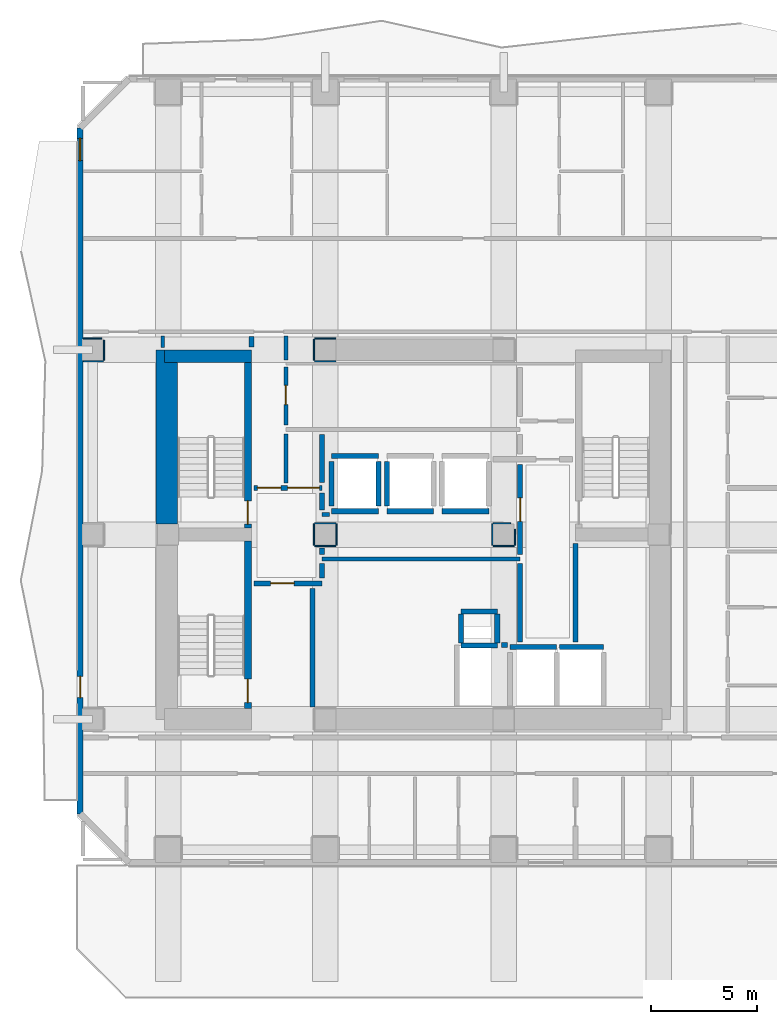
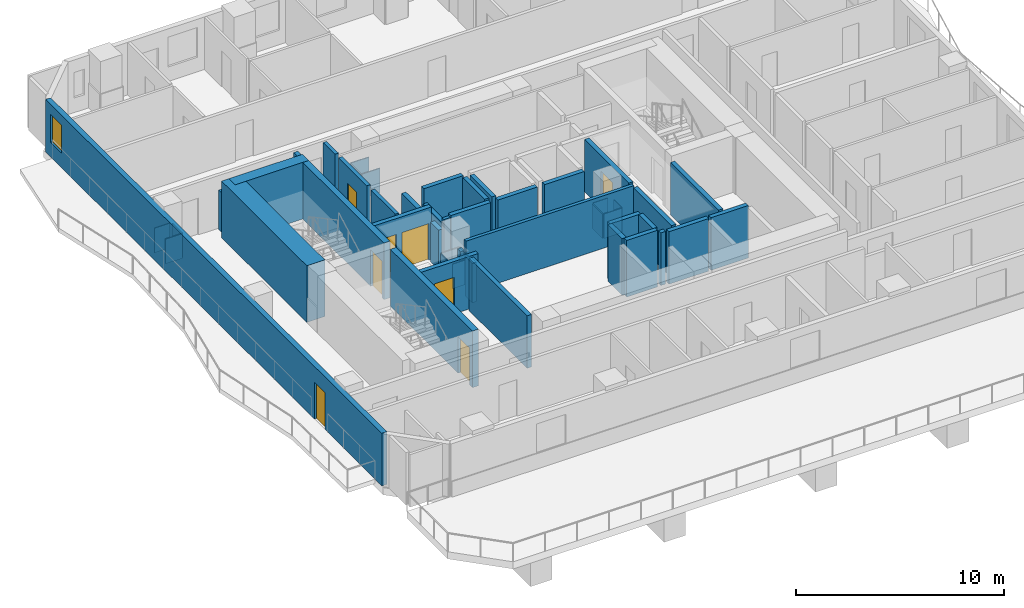
# One storey, part 3 of 9: 50 walls, 8 doors, 1 window, 9 openings.
"""IFC4 building model written with IfcOpenShell, lengths in metres."""

from ifc_helpers import new_model, si_unit, direction, frame, frame_2d, origin, place, context, subcontext, project, spatial, rectangle, extrude, material, layer, layer_set, type_object, element, fill, save


model = new_model("IFC4")

# Units and contexts
model_context = context("Model", 3, precision=1e-05, world=origin(), true_north=direction((0.0, 1.0)))
body_context = subcontext(model_context, "Body", "Model", "MODEL_VIEW")
ifc_project = project(units=[si_unit("LENGTHUNIT", "METRE"), si_unit("AREAUNIT", "SQUARE_METRE"), si_unit("VOLUMEUNIT", "CUBIC_METRE"), si_unit("PLANEANGLEUNIT", "RADIAN"), si_unit("MASSUNIT", "GRAM", prefix="KILO")], contexts=[model_context])

# Site, building, storey
site_placement = place(None, origin())
site = spatial("IfcSite", under=ifc_project, at=site_placement, CompositionType="ELEMENT")
building_placement = place(site_placement, origin())
building = spatial("IfcBuilding", under=site, at=building_placement, Name="Solanera Arch Residences", CompositionType="ELEMENT")
storey_placement = place(building_placement, frame((0.0, 0.0, 145.919921875)))
storey = spatial("IfcBuildingStorey", under=building, at=storey_placement, Name="L42", CompositionType="ELEMENT", Elevation=145.919921875)

# Walls
ifc_material_1 = material(Name="Fire-Rated Gypsum Stud Partition", Category="gypsum")
ifc_layer_1 = layer(ifc_material_1, 0.06005859375)
ifc_layer_set_1 = layer_set([ifc_layer_1], Name="Fire-Rated Gypsum Stud Partition")
wall_type_1 = type_object("IfcWallType", Name="Column Acoustic Furring Wall 60", PredefinedType="PARTITIONING", material=ifc_layer_set_1)
for number, where, z_axis, x_axis, name in (
    (1, (20.300048828125, 38.867919921875, 0.0), (0.0, 0.0, 1.0), (1.0, 0.0, 0.0), "L42 Column Furring 3S"),
    (2, (20.300048828125, 39.931884765625, 0.0), (0.0, 0.0, 1.0), (1.0, 0.0, 0.0), "L42 Column Furring 3N"),
    (3, (20.26806640625, 38.89990234375, 0.0), (0.0, 0.0, 1.0), (0.0, 1.0, 0.0), "L42 Column Furring 3W"),
    (4, (20.300048828125, 30.16796875, 0.0), (0.0, 0.0, 1.0), (1.0, 0.0, 0.0), "L42 Column Furring 7S"),
    (5, (20.300048828125, 31.23193359375, 0.0), (0.0, 0.0, 1.0), (1.0, 0.0, 0.0), "L42 Column Furring 7N"),
    (6, (20.26806640625, 30.199951171875, 0.0), (0.0, 0.0, 1.0), (0.0, 1.0, 0.0), "L42 Column Furring 7W"),
    (7, (21.33203125, 30.199951171875, 0.0), (0.0, 0.0, 1.0), (0.0, 1.0, 0.0), "L42 Column Furring 7E"),
    (8, (28.699951171875, 30.16796875, 0.0), (0.0, 0.0, 1.0), (1.0, 0.0, 0.0), "L42 Column Furring 8S"),
):
    element("IfcWall", number, at=place(storey_placement, frame(where, z_axis=z_axis, x_axis=x_axis)), inside=storey, type_object=wall_type_1, Name=name, PredefinedType="PARTITIONING", context=body_context, shape_type="SweptSolid", body=[
        extrude(rectangle(XDim=1.0, YDim=0.06005859375, at=frame_2d((0.5, 0.0))), origin(), (0.0, 0.0, 1.0), 1.4501953125),
    ])
wall_1_placement = place(storey_placement, frame((28.699951171875, 31.23193359375, 0.0), z_axis=(0.0, 0.0, 1.0), x_axis=(1.0, 0.0, 0.0)))
element("IfcWall", 9, at=wall_1_placement, inside=storey, type_object=wall_type_1, Name="L42 Column Furring 8N", PredefinedType="PARTITIONING", context=body_context, shape_type="SweptSolid", body=[
    extrude(rectangle(XDim=0.8349609375, YDim=0.06005859375, at=frame_2d((0.41748046875, 0.0))), origin(), (0.0, 0.0, 1.0), 1.4501953125),
])
wall_2_placement = place(storey_placement, frame((28.66796875, 30.199951171875, 0.0), z_axis=(0.0, 0.0, 1.0), x_axis=(0.0, 1.0, 0.0)))
element("IfcWall", 10, at=wall_2_placement, inside=storey, type_object=wall_type_1, Name="L42 Column Furring 8W", PredefinedType="PARTITIONING", context=body_context, shape_type="SweptSolid", body=[
    extrude(rectangle(XDim=1.0, YDim=0.06005859375, at=frame_2d((0.5, 0.0))), origin(), (0.0, 0.0, 1.0), 1.4501953125),
])
wall_3_placement = place(storey_placement, frame((29.73193359375, 30.199951171875, 0.0), z_axis=(0.0, 0.0, 1.0), x_axis=(0.0, 1.0, 0.0)))
element("IfcWall", 11, at=wall_3_placement, inside=storey, type_object=wall_type_1, Name="L42 Column Furring 8E", PredefinedType="PARTITIONING", context=body_context, shape_type="SweptSolid", body=[
    extrude(rectangle(XDim=0.7470703125, YDim=0.06005859375, at=frame_2d((0.37353515625, 0.0))), origin(), (0.0, 0.0, 1.0), 1.4501953125),
])
wall_4_placement = place(storey_placement, frame((9.409912109375, 38.867919921875, 0.0), z_axis=(0.0, 0.0, 1.0), x_axis=(1.0, 0.0, 0.0)))
element("IfcWall", 12, at=wall_4_placement, inside=storey, type_object=wall_type_1, Name="L42 Column Furring 21S", PredefinedType="PARTITIONING", context=body_context, shape_type="SweptSolid", body=[
    extrude(rectangle(XDim=0.940185546875, YDim=0.06005859375, at=frame_2d((0.47021484375, 0.0))), origin(), (0.0, 0.0, 1.0), 1.4501953125),
])
wall_5_placement = place(storey_placement, frame((9.409912109375, 39.931884765625, 0.0), z_axis=(0.0, 0.0, 1.0), x_axis=(1.0, 0.0, 0.0)))
element("IfcWall", 13, at=wall_5_placement, inside=storey, type_object=wall_type_1, Name="L42 Column Furring 21N", PredefinedType="PARTITIONING", context=body_context, shape_type="SweptSolid", body=[
    extrude(rectangle(XDim=0.87109375, YDim=0.06005859375, at=frame_2d((0.435546875, 0.0))), origin(), (0.0, 0.0, 1.0), 1.4501953125),
])
wall_6_placement = place(storey_placement, frame((10.382080078125, 38.89990234375, 0.0), z_axis=(0.0, 0.0, 1.0), x_axis=(0.0, 1.0, 0.0)))
element("IfcWall", 14, at=wall_6_placement, inside=storey, type_object=wall_type_1, Name="L42 Column Furring 21E", PredefinedType="PARTITIONING", context=body_context, shape_type="SweptSolid", body=[
    extrude(rectangle(XDim=0.9560546875, YDim=0.06005859375, at=frame_2d((0.47802734375, 0.0))), origin(), (0.0, 0.0, 1.0), 1.4501953125),
])
ifc_material_2 = material(Name="Concrete C55/67 (f'c = 60 MPa)", Category="concrete")
ifc_layer_2 = layer(ifc_material_2, 1.0)
ifc_layer_set_2 = layer_set([ifc_layer_2], Name="Concrete C55/67 (f'c = 60 MPa)")
wall_type_2 = type_object("IfcWallType", Name="Core Shear Wall CW-1000", PredefinedType="SHEAR", material=ifc_layer_set_2)
wall_7_placement = place(storey_placement, frame((13.340087890625, 31.205078125, 0.0), z_axis=(0.0, 0.0, 1.0), x_axis=(0.0, 1.0, 0.0)))
element("IfcWall", 15, at=wall_7_placement, inside=storey, type_object=wall_type_2, Name="L42 West Core North Shear Wall", PredefinedType="SHEAR", context=body_context, shape_type="SweptSolid", body=[
    extrude(rectangle(XDim=8.19482421875, YDim=1.0, at=frame_2d((4.097412109375, 0.0))), origin(), (0.0, 0.0, 1.0), 3.320068359375),
])

# Wall, opening, door
ifc_material_3 = material(Name="Concrete C40/50 (f'c = 45 MPa)", Category="concrete")
ifc_layer_3 = layer(ifc_material_3, 0.320068359375)
ifc_layer_set_3 = layer_set([ifc_layer_3], Name="Concrete C40/50 (f'c = 45 MPa)")
wall_type_3 = type_object("IfcWallType", Name="Core Shear Wall CW-320", PredefinedType="SHEAR", material=ifc_layer_set_3)
wall_8_placement = place(storey_placement, frame((17.159912109375, 31.0, 0.0), z_axis=(0.0, 0.0, 1.0), x_axis=(0.0, 1.0, 0.0)))
wall_8 = element("IfcWall", 16, at=wall_8_placement, inside=storey, type_object=wall_type_3, Name="L42 Stair ST-T1 East Shear Wall", PredefinedType="SHEAR", context=body_context, shape_type="SweptSolid", body=[
    extrude(rectangle(XDim=7.800048828125, YDim=0.320068359375, at=frame_2d((3.89990234375, 0.0))), origin(), (0.0, 0.0, 1.0), 3.320068359375),
])
opening_1_placement = place(wall_8_placement, frame((0.18994140625, 0.0, 0.0)))
opening_1 = element("IfcOpeningElement", 17, at=opening_1_placement, cuts=wall_8, Name="Opening DF-01", PredefinedType="OPENING", context=body_context, shape_type="SweptSolid", body=[
    extrude(rectangle(XDim=1.10009765625, YDim=2.14990234375, at=frame_2d((0.550048828125, 1.074951171875))), frame((0.0, 0.169921875, 0.0), z_axis=(0.0, -1.0, 0.0), x_axis=(1.0, 0.0, 0.0)), (0.0, 0.0, 1.0), 0.3401),
])
ifc_material_4 = material(Name="Fire-Rated Architectural Hardwood", Category="wood")
door_type_1 = type_object("IfcDoorType", Name="Stair Exit Fire Door DF-01", OperationType="NOTDEFINED", PredefinedType="DOOR", material=ifc_material_4)
door_1_placement = place(opening_1_placement, origin())
door_1 = element("IfcDoor", 18, at=door_1_placement, inside=storey, type_object=door_type_1, Name="DR-L42-STAIR-ST-T1", OperationType="SINGLE_SWING_RIGHT", OverallHeight=2.14990234375, OverallWidth=1.10009765625, PredefinedType="DOOR", context=body_context, shape_type="SweptSolid", body=[
    extrude(rectangle(XDim=1.10009765625, YDim=2.14990234375, at=frame_2d((0.550048828125, 1.074951171875))), frame((0.0, 0.02490234375, 0.0), z_axis=(0.0, -1.0, 0.0), x_axis=(1.0, 0.0, 0.0)), (0.0, 0.0, 1.0), 0.050048828125),
])
fill(opening_1, door_1)

wall_9_placement = place(storey_placement, frame((17.159912109375, 22.5, 0.0), z_axis=(0.0, 0.0, 1.0), x_axis=(0.0, 1.0, 0.0)))
wall_9 = element("IfcWall", 19, at=wall_9_placement, inside=storey, type_object=wall_type_3, Name="L42 Stair ST-T3 East Shear Wall", PredefinedType="SHEAR", context=body_context, shape_type="SweptSolid", body=[
    extrude(rectangle(XDim=7.89990234375, YDim=0.320068359375, at=frame_2d((3.949951171875, 0.0))), origin(), (0.0, 0.0, 1.0), 3.320068359375),
])
opening_2_placement = place(wall_9_placement, frame((0.2900390625, 0.0, 0.0)))
opening_2 = element("IfcOpeningElement", 20, at=opening_2_placement, cuts=wall_9, Name="Opening DF-01", PredefinedType="OPENING", context=body_context, shape_type="SweptSolid", body=[
    extrude(rectangle(XDim=1.10009765625, YDim=2.14990234375, at=frame_2d((0.550048828125, 1.074951171875))), frame((0.0, 0.169921875, 0.0), z_axis=(0.0, -1.0, 0.0), x_axis=(1.0, 0.0, 0.0)), (0.0, 0.0, 1.0), 0.3401),
])
door_2_placement = place(opening_2_placement, origin())
door_2 = element("IfcDoor", 21, at=door_2_placement, inside=storey, type_object=door_type_1, Name="DR-L42-STAIR-ST-T3", OperationType="SINGLE_SWING_RIGHT", OverallHeight=2.14990234375, OverallWidth=1.10009765625, PredefinedType="DOOR", context=body_context, shape_type="SweptSolid", body=[
    extrude(rectangle(XDim=1.10009765625, YDim=2.14990234375, at=frame_2d((0.550048828125, 1.074951171875))), frame((0.0, 0.02490234375, 0.0), z_axis=(0.0, -1.0, 0.0), x_axis=(1.0, 0.0, 0.0)), (0.0, 0.0, 1.0), 0.050048828125),
])
fill(opening_2, door_2)

# Walls
ifc_material_5 = material(Name="Concrete C40/50 (f'c = 45 MPa)", Category="concrete")
ifc_layer_4 = layer(ifc_material_5, 0.60009765625)
ifc_layer_set_4 = layer_set([ifc_layer_4], Name="Concrete C40/50 (f'c = 45 MPa)")
wall_type_4 = type_object("IfcWallType", Name="Core Shear Wall CW-600", PredefinedType="SHEAR", material=ifc_layer_set_4)
wall_10_placement = place(storey_placement, frame((13.239990234375, 39.10009765625, 0.0), z_axis=(0.0, 0.0, 1.0), x_axis=(1.0, 0.0, 0.0)))
element("IfcWall", 22, at=wall_10_placement, inside=storey, type_object=wall_type_4, Name="L42 North-West Core Shear Wall", PredefinedType="SHEAR", context=body_context, shape_type="SweptSolid", body=[
    extrude(rectangle(XDim=4.080078125, YDim=0.60009765625, at=frame_2d((2.0400390625, 0.0))), origin(), (0.0, 0.0, 1.0), 3.320068359375),
])
ifc_material_6 = material(Name="Autoclaved Aerated Concrete Blockwork", Category="masonry")
ifc_layer_5 = layer(ifc_material_6, 0.179931640625)
ifc_layer_set_5 = layer_set([ifc_layer_5], Name="Autoclaved Aerated Concrete Blockwork")
wall_type_5 = type_object("IfcWallType", Name="Corridor Fire Partition 180", PredefinedType="PARTITIONING", material=ifc_layer_set_5)
wall_11_placement = place(storey_placement, frame((20.64990234375, 29.550048828125, 0.0), z_axis=(0.0, 0.0, 1.0), x_axis=(1.0, 0.0, 0.0)))
element("IfcWall", 23, at=wall_11_placement, inside=storey, type_object=wall_type_5, Name="L42 Interior Partition H9", PredefinedType="PARTITIONING", context=body_context, shape_type="SweptSolid", body=[
    extrude(rectangle(XDim=9.3251953125, YDim=0.179931640625, at=frame_2d((4.66259765625, 0.0))), origin(), (0.0, 0.0, 1.0), 3.080078125),
])
wall_12_placement = place(storey_placement, frame((20.64990234375, 31.64990234375, 0.0), z_axis=(0.0, 0.0, 1.0), x_axis=(1.0, 0.0, 0.0)))
element("IfcWall", 24, at=wall_12_placement, inside=storey, type_object=wall_type_5, Name="L42 Interior Partition H10", PredefinedType="PARTITIONING", context=body_context, shape_type="SweptSolid", body=[
    extrude(rectangle(XDim=0.357177734375, YDim=0.179931640625, at=frame_2d((0.1787109375, 0.0))), origin(), (0.0, 0.0, 1.0), 3.080078125),
])
wall_13_placement = place(storey_placement, frame((13.14990234375, 39.5, 0.0), z_axis=(0.0, 0.0, 1.0), x_axis=(0.0, 1.0, 0.0)))
element("IfcWall", 25, at=wall_13_placement, inside=storey, type_object=wall_type_5, Name="L42 Interior Partition V9", PredefinedType="PARTITIONING", context=body_context, shape_type="SweptSolid", body=[
    extrude(rectangle(XDim=0.56201171875, YDim=0.179931640625, at=frame_2d((0.281005859375, 0.0))), origin(), (0.0, 0.0, 1.0), 2.315185546875),
])

# Wall, openings, door, window
ifc_material_7 = material(Name="Precast Concrete C35/45", Category="concrete")
ifc_layer_6 = layer(ifc_material_7, 0.280029296875)
ifc_layer_set_6 = layer_set([ifc_layer_6], Name="Precast Concrete C35/45")
wall_type_6 = type_object("IfcWallType", Name="Exterior Wall Precast Masonry-Frame 280", PredefinedType="STANDARD", material=ifc_layer_set_6)
wall_14_placement = place(storey_placement, frame((9.2548828125, 17.554931640625, 0.0), z_axis=(0.0, 0.0, 1.0), x_axis=(0.0, 1.0, 0.0)))
wall_14 = element("IfcWall", 26, at=wall_14_placement, inside=storey, type_object=wall_type_6, Name="L42 Tower Exterior Precast Masonry-Frame Wall W", PredefinedType="STANDARD", context=body_context, shape_type="SweptSolid", body=[
    extrude(rectangle(XDim=32.2900390625, YDim=0.280029296875, at=frame_2d((16.14501953125, 0.0))), origin(), (0.0, 0.0, 1.0), 3.080078125),
])
opening_3_placement = place(wall_14_placement, frame((5.467041015625, 0.0, 0.0)))
opening_3 = element("IfcOpeningElement", 27, at=opening_3_placement, cuts=wall_14, Name="Opening DB-01", PredefinedType="OPENING", context=body_context, shape_type="SweptSolid", body=[
    extrude(rectangle(XDim=1.0, YDim=2.14990234375, at=frame_2d((0.5, 1.074951171875))), frame((0.0, 0.14990234375, 0.0), z_axis=(0.0, -1.0, 0.0), x_axis=(1.0, 0.0, 0.0)), (0.0, 0.0, 1.0), 0.3),
])
opening_4_placement = place(wall_14_placement, frame((30.7529296875, 0.0, 0.85009765625)))
opening_4 = element("IfcOpeningElement", 28, at=opening_4_placement, cuts=wall_14, Name="Opening W-07", PredefinedType="OPENING", context=body_context, shape_type="SweptSolid", body=[
    extrude(rectangle(XDim=1.050048828125, YDim=1.64990234375, at=frame_2d((0.52490234375, 0.824951171875))), frame((0.0, 0.14990234375, 0.0), z_axis=(0.0, -1.0, 0.0), x_axis=(1.0, 0.0, 0.0)), (0.0, 0.0, 1.0), 0.3),
])
ifc_material_8 = material(Name="Anodised Aluminium Alloy 6063-T6", Category="aluminium")
door_type_2 = type_object("IfcDoorType", Name="Glazed Balcony Swing Door DB-01", OperationType="NOTDEFINED", PredefinedType="DOOR", material=ifc_material_8)
door_3_placement = place(opening_3_placement, origin())
door_3 = element("IfcDoor", 29, at=door_3_placement, inside=storey, type_object=door_type_2, Name="DR-L42-OUT-04", OperationType="SINGLE_SWING_LEFT", OverallHeight=2.14990234375, OverallWidth=1.0, PredefinedType="DOOR", context=body_context, shape_type="SweptSolid", body=[
    extrude(rectangle(XDim=1.0, YDim=2.14990234375, at=frame_2d((0.5, 1.074951171875))), frame((0.0, 0.02490234375, 0.0), z_axis=(0.0, -1.0, 0.0), x_axis=(1.0, 0.0, 0.0)), (0.0, 0.0, 1.0), 0.050048828125),
])
fill(opening_3, door_3)
ifc_material_9 = material(Name="Double Glazed Low-E Laminated Glass", Category="glass")
window_type = type_object("IfcWindowType", Name="Punched Window W-07", PartitioningType="SINGLE_PANEL", PredefinedType="WINDOW", material=ifc_material_9)
window_placement = place(opening_4_placement, origin())
window = element("IfcWindow", 30, at=window_placement, inside=storey, type_object=window_type, Name="L42 4204-BR1 Punched Window", OverallHeight=1.64990234375, OverallWidth=1.050048828125, PartitioningType="SINGLE_PANEL", PredefinedType="WINDOW", context=body_context, shape_type="SweptSolid", body=[
    extrude(rectangle(XDim=1.050048828125, YDim=1.64990234375, at=frame_2d((0.52490234375, 0.824951171875))), frame((0.0, 0.030029296875, 0.0), z_axis=(0.0, -1.0, 0.0), x_axis=(1.0, 0.0, 0.0)), (0.0, 0.0, 1.0), 0.06005859375),
])
fill(opening_4, window)

# Wall
ifc_material_10 = material(Name="Autoclaved Aerated Concrete Blockwork", Category="masonry")
ifc_layer_7 = layer(ifc_material_10, 0.199951171875)
ifc_layer_set_7 = layer_set([ifc_layer_7], Name="Autoclaved Aerated Concrete Blockwork")
wall_type_7 = type_object("IfcWallType", Name="Party Wall Acoustic 200", PredefinedType="PARTITIONING", material=ifc_layer_set_7)
wall_15_placement = place(storey_placement, frame((18.949951171875, 33.1279296875, 0.0), z_axis=(0.0, 0.0, 1.0), x_axis=(0.0, 1.0, 0.0)))
element("IfcWall", 31, at=wall_15_placement, inside=storey, type_object=wall_type_7, Name="L42 Interior Partition V7 1", PredefinedType="PARTITIONING", context=body_context, shape_type="SweptSolid", body=[
    extrude(rectangle(XDim=2.31396484375, YDim=0.199951171875, at=frame_2d((1.156982421875, 0.0))), origin(), (0.0, 0.0, 1.0), 3.080078125),
])

# Wall, opening, door
wall_16_placement = place(storey_placement, frame((18.949951171875, 35.85791015625, 0.0), z_axis=(0.0, 0.0, 1.0), x_axis=(0.0, 1.0, 0.0)))
wall_16 = element("IfcWall", 32, at=wall_16_placement, inside=storey, type_object=wall_type_7, Name="L42 Interior Partition V7 2", PredefinedType="PARTITIONING", context=body_context, shape_type="SweptSolid", body=[
    extrude(rectangle(XDim=2.72412109375, YDim=0.199951171875, at=frame_2d((1.362060546875, 0.0))), origin(), (0.0, 0.0, 1.0), 3.080078125),
])
opening_5_placement = place(wall_16_placement, frame((0.967041015625, 0.0, 0.0)))
opening_5 = element("IfcOpeningElement", 33, at=opening_5_placement, cuts=wall_16, Name="Opening DI-02", PredefinedType="OPENING", context=body_context, shape_type="SweptSolid", body=[
    extrude(rectangle(XDim=0.89990234375, YDim=2.10009765625, at=frame_2d((0.449951171875, 1.050048828125))), frame((0.0, 0.110107421875, 0.0), z_axis=(0.0, -1.0, 0.0), x_axis=(1.0, 0.0, 0.0)), (0.0, 0.0, 1.0), 0.22),
])
ifc_material_11 = material(Name="Fire-Rated Architectural Hardwood", Category="wood")
door_type_3 = type_object("IfcDoorType", Name="Suite Room Swing Door DI-02", OperationType="NOTDEFINED", PredefinedType="DOOR", material=ifc_material_11)
door_4_placement = place(opening_5_placement, origin())
door_4 = element("IfcDoor", 34, at=door_4_placement, inside=storey, type_object=door_type_3, Name="DR-L42-IN-016", OperationType="SINGLE_SWING_LEFT", OverallHeight=2.10009765625, OverallWidth=0.89990234375, PredefinedType="DOOR", context=body_context, shape_type="SweptSolid", body=[
    extrude(rectangle(XDim=0.89990234375, YDim=2.10009765625, at=frame_2d((0.449951171875, 1.050048828125))), frame((0.0, 0.02490234375, 0.0), z_axis=(0.0, -1.0, 0.0), x_axis=(1.0, 0.0, 0.0)), (0.0, 0.0, 1.0), 0.050048828125),
])
fill(opening_5, door_4)

# Walls
wall_17_placement = place(storey_placement, frame((18.949951171875, 38.91796875, 0.0), z_axis=(0.0, 0.0, 1.0), x_axis=(0.0, 1.0, 0.0)))
element("IfcWall", 35, at=wall_17_placement, inside=storey, type_object=wall_type_7, Name="L42 Interior Partition V7 3", PredefinedType="PARTITIONING", context=body_context, shape_type="SweptSolid", body=[
    extrude(rectangle(XDim=1.134033203125, YDim=0.199951171875, at=frame_2d((0.56689453125, 0.0))), origin(), (0.0, 0.0, 1.0), 3.080078125),
])
ifc_material_12 = material(Name="Concrete C40/50 (f'c = 45 MPa)", Category="concrete")
ifc_layer_8 = layer(ifc_material_12, 0.239990234375)
ifc_layer_set_8 = layer_set([ifc_layer_8], Name="Concrete C40/50 (f'c = 45 MPa)")
wall_type_8 = type_object("IfcWallType", Name="Ramp Bearing Shear Wall RW-240", PredefinedType="SHEAR", material=ifc_layer_set_8)
for number, where, z_axis, x_axis, name in (
    (36, (27.199951171875, 25.47998046875, 0.0), (0.0, 0.0, 1.0), (1.0, 0.0, 0.0), "L42 Core MEP Riser South Shaft Wall"),
    (37, (27.199951171875, 27.080078125, 0.0), (0.0, 0.0, 1.0), (1.0, 0.0, 0.0), "L42 Core MEP Riser North Shaft Wall"),
):
    element("IfcWall", number, at=place(storey_placement, frame(where, z_axis=z_axis, x_axis=x_axis)), inside=storey, type_object=wall_type_8, Name=name, PredefinedType="SHEAR", context=body_context, shape_type="SweptSolid", body=[
        extrude(rectangle(XDim=1.699951171875, YDim=0.239990234375, at=frame_2d((0.85009765625, 0.0))), origin(), (0.0, 0.0, 1.0), 3.320068359375),
    ])
for number, where, z_axis, x_axis, name in (
    (38, (27.199951171875, 25.60009765625, 0.0), (0.0, 0.0, 1.0), (0.0, 1.0, 0.0), "L42 Core MEP Riser West Shaft Wall"),
    (39, (28.89990234375, 25.60009765625, 0.0), (0.0, 0.0, 1.0), (0.0, 1.0, 0.0), "L42 Core MEP Riser East Shaft Wall"),
):
    element("IfcWall", number, at=place(storey_placement, frame(where, z_axis=z_axis, x_axis=x_axis)), inside=storey, type_object=wall_type_8, Name=name, PredefinedType="SHEAR", context=body_context, shape_type="SweptSolid", body=[
        extrude(rectangle(XDim=1.35986328125, YDim=0.239990234375, at=frame_2d((0.679931640625, 0.0))), origin(), (0.0, 0.0, 1.0), 3.320068359375),
    ])
ifc_material_13 = material(Name="Autoclaved Aerated Concrete Blockwork", Category="masonry")
ifc_layer_9 = layer(ifc_material_13, 0.239990234375)
ifc_layer_set_9 = layer_set([ifc_layer_9], Name="Autoclaved Aerated Concrete Blockwork")
wall_type_9 = type_object("IfcWallType", Name="Shaft Wall Fire-Rated 240", PredefinedType="PARTITIONING", material=ifc_layer_set_9)
for number, where, z_axis, x_axis, name in (
    (40, (21.10009765625, 31.800048828125, 0.0), (0.0, 0.0, 1.0), (1.0, 0.0, 0.0), "L42 Lift PL-M1 Hoistway Wall S"),
    (41, (21.10009765625, 34.39990234375, 0.0), (0.0, 0.0, 1.0), (1.0, 0.0, 0.0), "L42 Lift PL-M1 Hoistway Wall N"),
):
    element("IfcWall", number, at=place(storey_placement, frame(where, z_axis=z_axis, x_axis=x_axis)), inside=storey, type_object=wall_type_9, Name=name, PredefinedType="PARTITIONING", context=body_context, shape_type="SweptSolid", body=[
        extrude(rectangle(XDim=2.199951171875, YDim=0.239990234375, at=frame_2d((1.10009765625, 0.0))), origin(), (0.0, 0.0, 1.0), 3.080078125),
    ])
wall_18_placement = place(storey_placement, frame((21.10009765625, 32.048095703125, 0.0), z_axis=(0.0, 0.0, 1.0), x_axis=(0.0, 1.0, 0.0)))
element("IfcWall", 42, at=wall_18_placement, inside=storey, type_object=wall_type_9, Name="L42 Lift PL-M1 Hoistway Wall W", PredefinedType="PARTITIONING", context=body_context, shape_type="SweptSolid", body=[
    extrude(rectangle(XDim=2.10400390625, YDim=0.239990234375, at=frame_2d((1.052001953125, 0.0))), origin(), (0.0, 0.0, 1.0), 2.315185546875),
])
wall_19_placement = place(storey_placement, frame((23.300048828125, 32.048095703125, 0.0), z_axis=(0.0, 0.0, 1.0), x_axis=(0.0, 1.0, 0.0)))
element("IfcWall", 43, at=wall_19_placement, inside=storey, type_object=wall_type_9, Name="L42 Lift PL-M1 Hoistway Wall E", PredefinedType="PARTITIONING", context=body_context, shape_type="SweptSolid", body=[
    extrude(rectangle(XDim=2.10400390625, YDim=0.239990234375, at=frame_2d((1.052001953125, 0.0))), origin(), (0.0, 0.0, 1.0), 3.080078125),
])
wall_20_placement = place(storey_placement, frame((23.699951171875, 31.800048828125, 0.0), z_axis=(0.0, 0.0, 1.0), x_axis=(1.0, 0.0, 0.0)))
element("IfcWall", 44, at=wall_20_placement, inside=storey, type_object=wall_type_9, Name="L42 Lift PL-M2 Hoistway Wall S", PredefinedType="PARTITIONING", context=body_context, shape_type="SweptSolid", body=[
    extrude(rectangle(XDim=2.199951171875, YDim=0.239990234375, at=frame_2d((1.10009765625, 0.0))), origin(), (0.0, 0.0, 1.0), 3.080078125),
])
wall_21_placement = place(storey_placement, frame((23.699951171875, 32.048095703125, 0.0), z_axis=(0.0, 0.0, 1.0), x_axis=(0.0, 1.0, 0.0)))
element("IfcWall", 45, at=wall_21_placement, inside=storey, type_object=wall_type_9, Name="L42 Lift PL-M2 Hoistway Wall W", PredefinedType="PARTITIONING", context=body_context, shape_type="SweptSolid", body=[
    extrude(rectangle(XDim=2.10400390625, YDim=0.239990234375, at=frame_2d((1.052001953125, 0.0))), origin(), (0.0, 0.0, 1.0), 3.080078125),
])
for number, where, z_axis, x_axis, name in (
    (46, (26.300048828125, 31.800048828125, 0.0), (0.0, 0.0, 1.0), (1.0, 0.0, 0.0), "L42 Lift PL-M3 Hoistway Wall S"),
    (47, (29.5, 25.39990234375, 0.0), (0.0, 0.0, 1.0), (1.0, 0.0, 0.0), "L42 Lift FFL-1 Hoistway Wall N"),
):
    element("IfcWall", number, at=place(storey_placement, frame(where, z_axis=z_axis, x_axis=x_axis)), inside=storey, type_object=wall_type_9, Name=name, PredefinedType="PARTITIONING", context=body_context, shape_type="SweptSolid", body=[
        extrude(rectangle(XDim=2.199951171875, YDim=0.239990234375, at=frame_2d((1.10009765625, 0.0))), origin(), (0.0, 0.0, 1.0), 3.080078125),
    ])
wall_22_placement = place(storey_placement, frame((31.827880859375, 25.39990234375, 0.0), z_axis=(0.0, 0.0, 1.0), x_axis=(1.0, 0.0, 0.0)))
element("IfcWall", 48, at=wall_22_placement, inside=storey, type_object=wall_type_9, Name="L42 Lift FFL-2 Hoistway Wall N", PredefinedType="PARTITIONING", context=body_context, shape_type="SweptSolid", body=[
    extrude(rectangle(XDim=2.072021484375, YDim=0.239990234375, at=frame_2d((1.0361328125, 0.0))), origin(), (0.0, 0.0, 1.0), 3.080078125),
])
wall_23_placement = place(storey_placement, frame((29.10302734375, 25.5, 0.0), z_axis=(0.0, 0.0, 1.0), x_axis=(1.0, 0.0, 0.0)))
element("IfcWall", 49, at=wall_23_placement, inside=storey, type_object=wall_type_9, Name="L42 Lift SVL-1 Hoistway Wall N", PredefinedType="PARTITIONING", context=body_context, shape_type="SweptSolid", body=[
    extrude(rectangle(XDim=0.26904296875, YDim=0.239990234375, at=frame_2d((0.134521484375, 0.0))), origin(), (0.0, 0.0, 1.0), 3.080078125),
])

# Wall, opening, door
wall_24_placement = place(storey_placement, frame((17.449951171875, 28.39990234375, 0.0), z_axis=(0.0, 0.0, 1.0), x_axis=(1.0, 0.0, 0.0)))
wall_24 = element("IfcWall", 50, at=wall_24_placement, inside=storey, type_object=wall_type_9, Name="L42 Interior Partition H3", PredefinedType="PARTITIONING", context=body_context, shape_type="SweptSolid", body=[
    extrude(rectangle(XDim=3.199951171875, YDim=0.239990234375, at=frame_2d((1.60009765625, 0.0))), origin(), (0.0, 0.0, 1.0), 3.080078125),
])
opening_6_placement = place(wall_24_placement, frame((0.783935546875, 0.0, 0.0)))
opening_6 = element("IfcOpeningElement", 51, at=opening_6_placement, cuts=wall_24, Name="Opening DF-02", PredefinedType="OPENING", context=body_context, shape_type="SweptSolid", body=[
    extrude(rectangle(XDim=1.10009765625, YDim=2.14990234375, at=frame_2d((0.550048828125, 1.074951171875))), frame((0.0, 0.1298828125, 0.0), z_axis=(0.0, -1.0, 0.0), x_axis=(1.0, 0.0, 0.0)), (0.0, 0.0, 1.0), 0.26),
])
ifc_material_14 = material(Name="Fire-Rated Architectural Hardwood", Category="wood")
door_type_4 = type_object("IfcDoorType", Name="Firefighting Lobby Fire Door DF-02", OperationType="NOTDEFINED", PredefinedType="DOOR", material=ifc_material_14)
door_5_placement = place(opening_6_placement, origin())
door_5 = element("IfcDoor", 52, at=door_5_placement, inside=storey, type_object=door_type_4, Name="DR-L42-IN-004", OperationType="SINGLE_SWING_LEFT", OverallHeight=2.14990234375, OverallWidth=1.10009765625, PredefinedType="DOOR", context=body_context, shape_type="SweptSolid", body=[
    extrude(rectangle(XDim=1.10009765625, YDim=2.14990234375, at=frame_2d((0.550048828125, 1.074951171875))), frame((0.0, 0.02490234375, 0.0), z_axis=(0.0, -1.0, 0.0), x_axis=(1.0, 0.0, 0.0)), (0.0, 0.0, 1.0), 0.050048828125),
])
fill(opening_6, door_5)

# Wall, openings, doors
wall_25_placement = place(storey_placement, frame((17.449951171875, 32.89990234375, 0.0), z_axis=(0.0, 0.0, 1.0), x_axis=(1.0, 0.0, 0.0)))
wall_25 = element("IfcWall", 53, at=wall_25_placement, inside=storey, type_object=wall_type_9, Name="L42 Interior Partition H4", PredefinedType="PARTITIONING", context=body_context, shape_type="SweptSolid", body=[
    extrude(rectangle(XDim=3.199951171875, YDim=0.239990234375, at=frame_2d((1.60009765625, 0.0))), origin(), (0.0, 0.0, 1.0), 3.080078125),
])
opening_7_placement = place(wall_25_placement, frame((0.158935546875, 0.0, 0.0)))
opening_7 = element("IfcOpeningElement", 54, at=opening_7_placement, cuts=wall_25, Name="Opening DF-02", PredefinedType="OPENING", context=body_context, shape_type="SweptSolid", body=[
    extrude(rectangle(XDim=1.10009765625, YDim=2.14990234375, at=frame_2d((0.550048828125, 1.074951171875))), frame((0.0, 0.1298828125, 0.0), z_axis=(0.0, -1.0, 0.0), x_axis=(1.0, 0.0, 0.0)), (0.0, 0.0, 1.0), 0.26),
])
opening_8_placement = place(wall_25_placement, frame((1.575927734375, 0.0, 0.0)))
opening_8 = element("IfcOpeningElement", 55, at=opening_8_placement, cuts=wall_25, Name="Opening DP-01", PredefinedType="OPENING", context=body_context, shape_type="SweptSolid", body=[
    extrude(rectangle(XDim=1.5, YDim=2.14990234375, at=frame_2d((0.75, 1.074951171875))), frame((0.0, 0.1298828125, 0.0), z_axis=(0.0, -1.0, 0.0), x_axis=(1.0, 0.0, 0.0)), (0.0, 0.0, 1.0), 0.26),
])
door_6_placement = place(opening_7_placement, origin())
door_6 = element("IfcDoor", 56, at=door_6_placement, inside=storey, type_object=door_type_4, Name="DR-L42-IN-005", OperationType="SINGLE_SWING_RIGHT", OverallHeight=2.14990234375, OverallWidth=1.10009765625, PredefinedType="DOOR", context=body_context, shape_type="SweptSolid", body=[
    extrude(rectangle(XDim=1.10009765625, YDim=2.14990234375, at=frame_2d((0.550048828125, 1.074951171875))), frame((0.0, 0.02490234375, 0.0), z_axis=(0.0, -1.0, 0.0), x_axis=(1.0, 0.0, 0.0)), (0.0, 0.0, 1.0), 0.050048828125),
])
fill(opening_7, door_6)
ifc_material_15 = material(Name="Fire-Rated Architectural Hardwood", Category="wood")
door_type_5 = type_object("IfcDoorType", Name="Plant Double Fire Door DP-01", OperationType="NOTDEFINED", PredefinedType="DOOR", material=ifc_material_15)
door_7_placement = place(opening_8_placement, origin())
door_7 = element("IfcDoor", 57, at=door_7_placement, inside=storey, type_object=door_type_5, Name="DR-L42-IN-014", OperationType="SINGLE_SWING_LEFT", OverallHeight=2.14990234375, OverallWidth=1.5, PredefinedType="DOOR", context=body_context, shape_type="SweptSolid", body=[
    extrude(rectangle(XDim=1.5, YDim=2.14990234375, at=frame_2d((0.75, 1.074951171875))), frame((0.0, 0.02490234375, 0.0), z_axis=(0.0, -1.0, 0.0), x_axis=(1.0, 0.0, 0.0)), (0.0, 0.0, 1.0), 0.050048828125),
])
fill(opening_8, door_7)

# Walls
wall_26_placement = place(storey_placement, frame((17.320068359375, 39.530029296875, 0.0), z_axis=(0.0, 0.0, 1.0), x_axis=(0.0, 1.0, 0.0)))
element("IfcWall", 58, at=wall_26_placement, inside=storey, type_object=wall_type_9, Name="L42 Interior Partition V1", PredefinedType="PARTITIONING", context=body_context, shape_type="SweptSolid", body=[
    extrude(rectangle(XDim=0.501953125, YDim=0.239990234375, at=frame_2d((0.2509765625, 0.0))), origin(), (0.0, 0.0, 1.0), 3.080078125),
])
wall_27_placement = place(storey_placement, frame((20.199951171875, 22.5859375, 0.0), z_axis=(0.0, 0.0, 1.0), x_axis=(0.0, 1.0, 0.0)))
element("IfcWall", 59, at=wall_27_placement, inside=storey, type_object=wall_type_9, Name="L42 Interior Partition V2", PredefinedType="PARTITIONING", context=body_context, shape_type="SweptSolid", body=[
    extrude(rectangle(XDim=5.566162109375, YDim=0.239990234375, at=frame_2d((2.783203125, 0.0))), origin(), (0.0, 0.0, 1.0), 3.080078125),
])
wall_28_placement = place(storey_placement, frame((20.64990234375, 28.64794921875, 0.0), z_axis=(0.0, 0.0, 1.0), x_axis=(0.0, 1.0, 0.0)))
element("IfcWall", 60, at=wall_28_placement, inside=storey, type_object=wall_type_9, Name="L42 Interior Partition V3 1", PredefinedType="PARTITIONING", context=body_context, shape_type="SweptSolid", body=[
    extrude(rectangle(XDim=0.68408203125, YDim=0.239990234375, at=frame_2d((0.342041015625, 0.0))), origin(), (0.0, 0.0, 1.0), 2.315185546875),
])
wall_29_placement = place(storey_placement, frame((20.64990234375, 29.76806640625, 0.0), z_axis=(0.0, 0.0, 1.0), x_axis=(0.0, 1.0, 0.0)))
element("IfcWall", 61, at=wall_29_placement, inside=storey, type_object=wall_type_9, Name="L42 Interior Partition V3 2", PredefinedType="PARTITIONING", context=body_context, shape_type="SweptSolid", body=[
    extrude(rectangle(XDim=0.300048828125, YDim=0.239990234375, at=frame_2d((0.14990234375, 0.0))), origin(), (0.0, 0.0, 1.0), 2.315185546875),
])
wall_30_placement = place(storey_placement, frame((20.64990234375, 31.867919921875, 0.0), z_axis=(0.0, 0.0, 1.0), x_axis=(0.0, 1.0, 0.0)))
element("IfcWall", 62, at=wall_30_placement, inside=storey, type_object=wall_type_9, Name="L42 Interior Partition V3 3", PredefinedType="PARTITIONING", context=body_context, shape_type="SweptSolid", body=[
    extrude(rectangle(XDim=0.7841796875, YDim=0.239990234375, at=frame_2d((0.39208984375, 0.0))), origin(), (0.0, 0.0, 1.0), 2.315185546875),
])
wall_31_placement = place(storey_placement, frame((20.64990234375, 33.14794921875, 0.0), z_axis=(0.0, 0.0, 1.0), x_axis=(0.0, 1.0, 0.0)))
element("IfcWall", 63, at=wall_31_placement, inside=storey, type_object=wall_type_9, Name="L42 Interior Partition V3 4", PredefinedType="PARTITIONING", context=body_context, shape_type="SweptSolid", body=[
    extrude(rectangle(XDim=2.274169921875, YDim=0.239990234375, at=frame_2d((1.13720703125, 0.0))), origin(), (0.0, 0.0, 1.0), 2.315185546875),
])
wall_32_placement = place(storey_placement, frame((29.97509765625, 25.64794921875, 0.0), z_axis=(0.0, 0.0, 1.0), x_axis=(0.0, 1.0, 0.0)))
element("IfcWall", 64, at=wall_32_placement, inside=storey, type_object=wall_type_9, Name="L42 Interior Partition V4 1", PredefinedType="PARTITIONING", context=body_context, shape_type="SweptSolid", body=[
    extrude(rectangle(XDim=3.68408203125, YDim=0.239990234375, at=frame_2d((1.842041015625, 0.0))), origin(), (0.0, 0.0, 1.0), 3.080078125),
])

# Wall, opening, door
wall_33_placement = place(storey_placement, frame((29.97509765625, 29.76806640625, 0.0), z_axis=(0.0, 0.0, 1.0), x_axis=(0.0, 1.0, 0.0)))
wall_33 = element("IfcWall", 65, at=wall_33_placement, inside=storey, type_object=wall_type_9, Name="L42 Interior Partition V4 2", PredefinedType="PARTITIONING", context=body_context, shape_type="SweptSolid", body=[
    extrude(rectangle(XDim=4.23388671875, YDim=0.239990234375, at=frame_2d((2.116943359375, 0.0))), origin(), (0.0, 0.0, 1.0), 3.080078125),
])
opening_9_placement = place(wall_33_placement, frame((1.556884765625, 0.0, 0.0)))
opening_9 = element("IfcOpeningElement", 66, at=opening_9_placement, cuts=wall_33, Name="Opening DF-02", PredefinedType="OPENING", context=body_context, shape_type="SweptSolid", body=[
    extrude(rectangle(XDim=1.10009765625, YDim=2.14990234375, at=frame_2d((0.550048828125, 1.074951171875))), frame((0.0, 0.1298828125, 0.0), z_axis=(0.0, -1.0, 0.0), x_axis=(1.0, 0.0, 0.0)), (0.0, 0.0, 1.0), 0.26),
])
door_8_placement = place(opening_9_placement, origin())
door_8 = element("IfcDoor", 67, at=door_8_placement, inside=storey, type_object=door_type_4, Name="DR-L42-IN-006", OperationType="SINGLE_SWING_LEFT", OverallHeight=2.14990234375, OverallWidth=1.10009765625, PredefinedType="DOOR", context=body_context, shape_type="SweptSolid", body=[
    extrude(rectangle(XDim=1.10009765625, YDim=2.14990234375, at=frame_2d((0.550048828125, 1.074951171875))), frame((0.0, 0.02490234375, 0.0), z_axis=(0.0, -1.0, 0.0), x_axis=(1.0, 0.0, 0.0)), (0.0, 0.0, 1.0), 0.050048828125),
])
fill(opening_9, door_8)

# Wall
wall_34_placement = place(storey_placement, frame((32.580078125, 25.64794921875, 0.0), z_axis=(0.0, 0.0, 1.0), x_axis=(0.0, 1.0, 0.0)))
element("IfcWall", 68, at=wall_34_placement, inside=storey, type_object=wall_type_9, Name="L42 Interior Partition V6", PredefinedType="PARTITIONING", context=body_context, shape_type="SweptSolid", body=[
    extrude(rectangle(XDim=4.6220703125, YDim=0.239990234375, at=frame_2d((2.31103515625, 0.0))), origin(), (0.0, 0.0, 1.0), 3.080078125),
])

save(model, "model.ifc")
